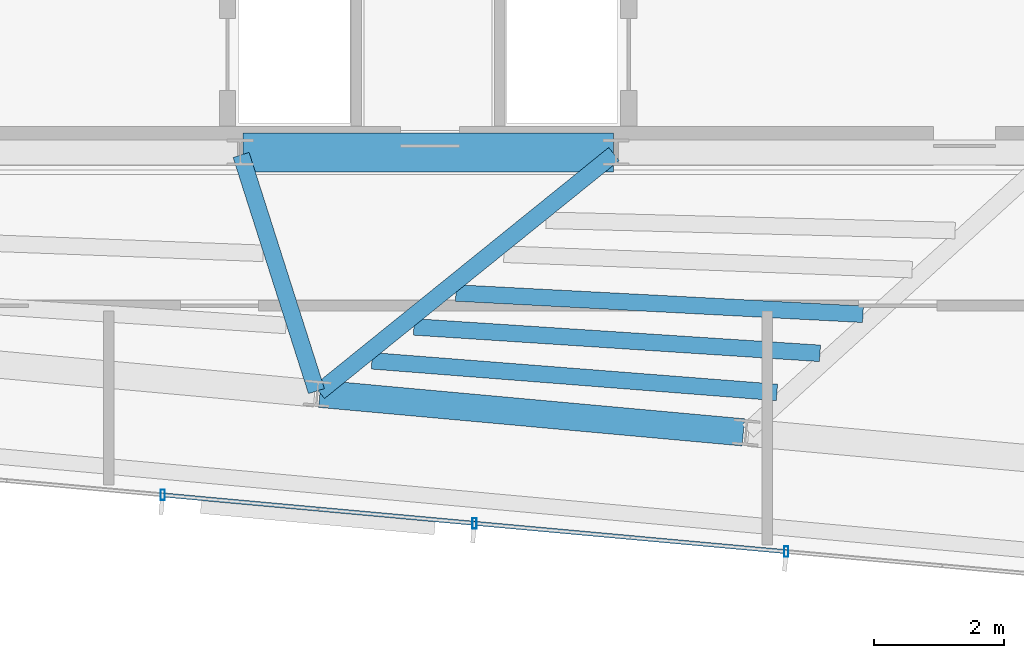
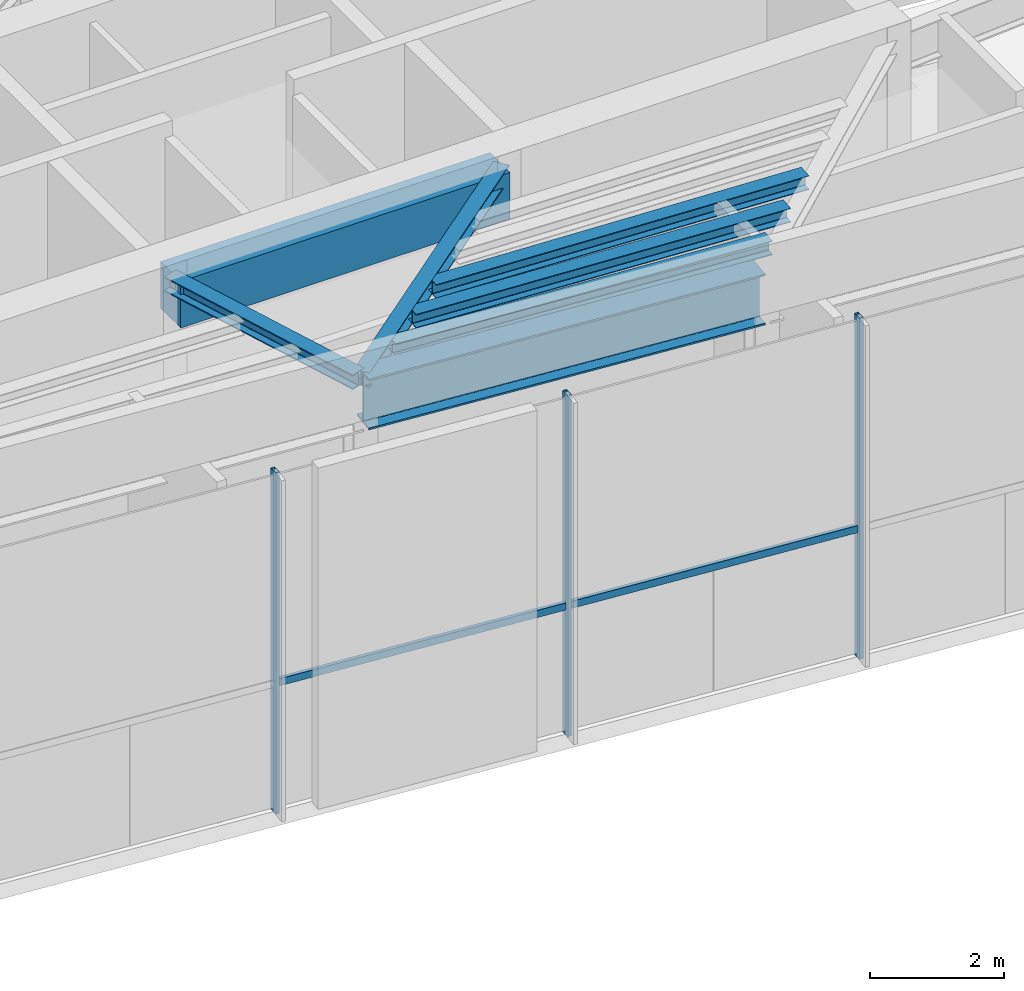
# One storey, part 6 of 18: 7 beams, 5 members, 1 element without a shape of its own.
"""IFC4 building model written with IfcOpenShell, lengths in metres."""

from ifc_helpers import new_model, si_unit, direction, frame, origin, origin_2d, place, context, subcontext, project, spatial, rectangle, hollow_rectangle, i_section, extrude, source, transform, mapped, material, material_profile, profile_set, type_object, type_shapes, element, aggregate, save


model = new_model("IFC4")

# Units and contexts
model_context = context("Model", 3, precision=1e-05, world=origin(), true_north=direction((0.0, 1.0)))
body_context = subcontext(model_context, "Body", "Model", "MODEL_VIEW")
ifc_project = project(units=[si_unit("LENGTHUNIT", "METRE"), si_unit("AREAUNIT", "SQUARE_METRE"), si_unit("VOLUMEUNIT", "CUBIC_METRE"), si_unit("PLANEANGLEUNIT", "RADIAN"), si_unit("MASSUNIT", "GRAM", prefix="KILO")], contexts=[model_context])

# Site, building, storey
site_placement = place(None, origin())
site = spatial("IfcSite", under=ifc_project, at=site_placement, CompositionType="ELEMENT")
building_placement = place(site_placement, origin())
building = spatial("IfcBuilding", under=site, at=building_placement, Name="Astriad Promenade Condominiums", CompositionType="ELEMENT")
storey_placement = place(building_placement, frame((0.0, 0.0, 290.300048828125)))
storey = spatial("IfcBuildingStorey", under=building, at=storey_placement, Name="L80", CompositionType="ELEMENT", Elevation=290.300048828125)

# Beams
ifc_material_1 = material(Name="Concrete C60/75", Category="concrete")
ifc_material_profile_1 = material_profile(ifc_material_1, rectangle(XDim=0.60009765625, YDim=0.85009765625, at=origin_2d()), Name="RC-BM-600X850")
ifc_profile_set_1 = profile_set([ifc_material_profile_1], Name="Concrete C60/75")
beam_type_1 = type_object("IfcBeamType", Name="CONCRETE CORE COUPLING LINTEL 600X850", PredefinedType="LINTEL", material=ifc_profile_set_1)
shared_shape_1 = source(origin(), body_context, "Body", "SweptSolid", [
    extrude(rectangle(XDim=0.60009765625, YDim=0.85009765625, at=origin_2d()), origin(), (0.0, 0.0, 1.0), 5.68017578125),
])
type_shapes(beam_type_1, [shared_shape_1])
beam_1_placement = place(storey_placement, frame((33.159912109375, 17.39990234375, 5.794921875), z_axis=(1.0, 0.0, 0.0), x_axis=(0.0, 1.0, 0.0)))
element("IfcBeam", 1, at=beam_1_placement, inside=storey, type_object=beam_type_1, Name="Core Ring Beam CG-S2-L80", PredefinedType="LINTEL", context=body_context, shape_type="MappedRepresentation", body=[
    mapped(shared_shape_1, transform((0.0, 0.0, 0.0), scale=1.0)),
])
ifc_material_2 = material(Name="Steel ASTM A992 Grade 50", Category="steel")
ifc_material_profile_2 = material_profile(ifc_material_2, i_section(OverallWidth=0.25732421875, OverallDepth=0.26416015625, WebThickness=0.011962890625, FlangeThickness=0.01953125, FilletRadius=0.0126953125, at=origin_2d()), Name="W10X68")
ifc_profile_set_2 = profile_set([ifc_material_profile_2], Name="Steel ASTM A992 Grade 50")
beam_type_2 = type_object("IfcBeamType", Name="STEEL CANOPY BEAM W10X68", PredefinedType="BEAM", material=ifc_profile_set_2)
shared_shape_2 = source(origin(), body_context, "Body", "SweptSolid", [
    extrude(i_section(OverallWidth=0.25732421875, OverallDepth=0.26416015625, WebThickness=0.011962890625, FlangeThickness=0.01953125, FilletRadius=0.0126953125, at=origin_2d()), origin(), (0.0, 0.0, 1.0), 3.801025390625),
])
beam_2_placement = place(storey_placement, frame((34.28759765625, 13.74072265625, 6.087890625), z_axis=(-0.304004205404, 0.952670689744, 0.0), x_axis=(-0.952670689744, -0.304004205404, 0.0)))
element("IfcBeam", 2, at=beam_2_placement, inside=storey, type_object=beam_type_2, Name="Primary Floor Girder PG-C1-L80", PredefinedType="BEAM", context=body_context, shape_type="MappedRepresentation", body=[
    mapped(shared_shape_2, transform((0.0, 0.0, 0.0), scale=1.0)),
])
shared_shape_3 = source(origin(), body_context, "Body", "SweptSolid", [
    extrude(i_section(OverallWidth=0.25732421875, OverallDepth=0.26416015625, WebThickness=0.011962890625, FlangeThickness=0.01953125, FilletRadius=0.0126953125, at=origin_2d()), origin(), (0.0, 0.0, 1.0), 5.806396484375),
])
type_shapes(beam_type_2, [shared_shape_2, shared_shape_3])
beam_3_placement = place(storey_placement, frame((34.330810546875, 13.727783203125, 6.087890625), z_axis=(0.77810873544, 0.628129601143, 0.0), x_axis=(-0.628129601143, 0.77810873544, 0.0)))
element("IfcBeam", 3, at=beam_3_placement, inside=storey, type_object=beam_type_2, Name="Primary Floor Girder PG-C2-L80", PredefinedType="BEAM", context=body_context, shape_type="MappedRepresentation", body=[
    mapped(shared_shape_3, transform((0.0, 0.0, 0.0), scale=1.0)),
])
ifc_material_profile_3 = material_profile(ifc_material_2, i_section(OverallWidth=0.418212890625, OverallDepth=0.926513671875, WebThickness=0.019287109375, FlangeThickness=0.031982421875, FilletRadius=0.024169921875, at=origin_2d()), Name="W36X231")
ifc_profile_set_3 = profile_set([ifc_material_profile_3], Name="Steel ASTM A992 Grade 50")
beam_type_3 = type_object("IfcBeamType", Name="STEEL CROWN RING BEAM W36X231", PredefinedType="BEAM", material=ifc_profile_set_3)
shared_shape_4 = source(origin(), body_context, "Body", "SweptSolid", [
    extrude(i_section(OverallWidth=0.418212890625, OverallDepth=0.926513671875, WebThickness=0.019287109375, FlangeThickness=0.031982421875, FilletRadius=0.024169921875, at=origin_2d()), origin(), (0.0, 0.0, 1.0), 6.52001953125),
])
type_shapes(beam_type_3, [shared_shape_4])
beam_4_placement = place(storey_placement, frame((34.339599609375, 13.69921875, 5.756591796875), z_axis=(0.995882457091, -0.090653911438, 0.0), x_axis=(0.090653911438, 0.995882457091, 0.0)))
element("IfcBeam", 4, at=beam_4_placement, inside=storey, type_object=beam_type_3, Name="Perimeter Spandrel Beam SP-S3-L80", PredefinedType="BEAM", context=body_context, shape_type="MappedRepresentation", body=[
    mapped(shared_shape_4, transform((0.0, 0.0, 0.0), scale=1.0)),
])
ifc_material_profile_4 = material_profile(ifc_material_2, i_section(OverallWidth=0.25390625, OverallDepth=0.25390625, WebThickness=0.008544921875, FlangeThickness=0.01416015625, FilletRadius=0.0126953125, at=origin_2d()), Name="W10X49")
ifc_profile_set_4 = profile_set([ifc_material_profile_4], Name="Steel ASTM A992 Grade 50")
beam_type_4 = type_object("IfcBeamType", Name="STEEL TRIMMER JOIST W10X49", PredefinedType="JOIST", material=ifc_profile_set_4)
shared_shape_5 = source(origin(), body_context, "Body", "SweptSolid", [
    extrude(i_section(OverallWidth=0.25390625, OverallDepth=0.25390625, WebThickness=0.008544921875, FlangeThickness=0.01416015625, FilletRadius=0.0126953125, at=origin_2d()), origin(), (0.0, 0.0, 1.0), 6.229248046875),
])
beam_5_placement = place(storey_placement, frame((35.1376953125, 14.205078125, 6.093017578125), z_axis=(0.996969269926, -0.077796367671, 0.0), x_axis=(0.077796367671, 0.996969269926, 0.0)))
element("IfcBeam", 5, at=beam_5_placement, inside=storey, type_object=beam_type_4, Name="Secondary Composite Floor Joist JCE-1-L80", PredefinedType="JOIST", context=body_context, shape_type="MappedRepresentation", body=[
    mapped(shared_shape_5, transform((0.0, 0.0, 0.0), scale=1.0)),
])
shared_shape_6 = source(origin(), body_context, "Body", "SweptSolid", [
    extrude(i_section(OverallWidth=0.25390625, OverallDepth=0.25390625, WebThickness=0.008544921875, FlangeThickness=0.01416015625, FilletRadius=0.0126953125, at=origin_2d()), origin(), (0.0, 0.0, 1.0), 6.2392578125),
])
beam_6_placement = place(storey_placement, frame((35.78173828125, 14.72509765625, 6.093017578125), z_axis=(0.997885626564, -0.064994432818, 0.0), x_axis=(0.064994432818, 0.997885626564, 0.0)))
element("IfcBeam", 6, at=beam_6_placement, inside=storey, type_object=beam_type_4, Name="Secondary Composite Floor Joist JCE-2-L80", PredefinedType="JOIST", context=body_context, shape_type="MappedRepresentation", body=[
    mapped(shared_shape_6, transform((0.0, 0.0, 0.0), scale=1.0)),
])
shared_shape_7 = source(origin(), body_context, "Body", "SweptSolid", [
    extrude(i_section(OverallWidth=0.25390625, OverallDepth=0.25390625, WebThickness=0.008544921875, FlangeThickness=0.01416015625, FilletRadius=0.0126953125, at=origin_2d()), origin(), (0.0, 0.0, 1.0), 6.25),
])
type_shapes(beam_type_4, [shared_shape_5, shared_shape_6, shared_shape_7])
beam_7_placement = place(storey_placement, frame((36.42578125, 15.2451171875, 6.093017578125), z_axis=(0.998635255149, -0.052226690246, 0.0), x_axis=(0.052226690246, 0.998635255149, 0.0)))
element("IfcBeam", 7, at=beam_7_placement, inside=storey, type_object=beam_type_4, Name="Secondary Composite Floor Joist JCE-3-L80", PredefinedType="JOIST", context=body_context, shape_type="MappedRepresentation", body=[
    mapped(shared_shape_7, transform((0.0, 0.0, 0.0), scale=1.0)),
])

# Curtain wall, members
ifc_material_3 = material(Name="Anodised aluminium Black Dark Glass Unitised", Category="aluminium")
curtain_wall_type = type_object("IfcCurtainWallType", Name="CW-TMD-LANTERN", PredefinedType="USERDEFINED", material=ifc_material_3)
curtain_wall_placement = place(storey_placement, origin())
curtain_wall = element("IfcCurtainWall", 8, at=curtain_wall_placement, inside=storey, type_object=curtain_wall_type, Name="CW-CRN-L80-18", ObjectType="UNITISED_CURTAIN_WALL", PredefinedType="USERDEFINED")
ifc_material_4 = material(Name="Anodised aluminium 6063-T6 Black", Category="aluminium")
ifc_material_profile_5 = material_profile(ifc_material_4, hollow_rectangle(XDim=0.06494140625, YDim=0.159912109375, WallThickness=0.00390625, at=origin_2d()), Name="ALU-MUL-65X160")
ifc_profile_set_5 = profile_set([ifc_material_profile_5], Name="Anodised aluminium 6063-T6 Black")
member_type_1 = type_object("IfcMemberType", Name="MUL-ALU-MUL-65X160", PredefinedType="MULLION", material=ifc_profile_set_5)
shared_shape_8 = source(origin(), body_context, "Body", "SweptSolid", [
    extrude(hollow_rectangle(XDim=0.06494140625, YDim=0.159912109375, WallThickness=0.00390625, at=origin_2d()), origin(), (0.0, 0.0, 1.0), 6.219970703125),
])
type_shapes(member_type_1, [shared_shape_8])
member_1_placement = place(storey_placement, frame((41.490478515625, 11.2783203125, 0.0), z_axis=(0.0, 0.0, 1.0), x_axis=(1.0, 0.0, 0.0)))
member_1 = element("IfcMember", 9, at=member_1_placement, type_object=member_type_1, Name="CW-CRN-L80-18-MUL-02", PredefinedType="MULLION", context=body_context, shape_type="MappedRepresentation", body=[
    mapped(shared_shape_8, transform((0.0, 0.0, 0.0), scale=1.0)),
])
member_2_placement = place(storey_placement, frame((36.71044921875, 11.71337890625, 0.0), z_axis=(0.0, 0.0, 1.0), x_axis=(1.0, 0.0, 0.0)))
member_2 = element("IfcMember", 10, at=member_2_placement, type_object=member_type_1, Name="CW-CRN-L80-18-MUL-03", PredefinedType="MULLION", context=body_context, shape_type="MappedRepresentation", body=[
    mapped(shared_shape_8, transform((0.0, 0.0, 0.0), scale=1.0)),
])
member_3_placement = place(storey_placement, frame((31.93017578125, 12.1484375, 0.0), z_axis=(0.0, 0.0, 1.0), x_axis=(1.0, 0.0, 0.0)))
member_3 = element("IfcMember", 11, at=member_3_placement, type_object=member_type_1, Name="CW-CRN-L80-18-MUL-04", PredefinedType="MULLION", context=body_context, shape_type="MappedRepresentation", body=[
    mapped(shared_shape_8, transform((0.0, 0.0, 0.0), scale=1.0)),
])
ifc_material_profile_6 = material_profile(ifc_material_4, hollow_rectangle(XDim=0.06494140625, YDim=0.1298828125, WallThickness=0.00390625, at=origin_2d()), Name="ALU-TRN-65X130")
ifc_profile_set_6 = profile_set([ifc_material_profile_6], Name="Anodised aluminium 6063-T6 Black")
member_type_2 = type_object("IfcMemberType", Name="TRN-ALU-TRN-65X130", PredefinedType="USERDEFINED", material=ifc_profile_set_6)
shared_shape_9 = source(origin(), body_context, "Body", "SweptSolid", [
    extrude(hollow_rectangle(XDim=0.06494140625, YDim=0.1298828125, WallThickness=0.00390625, at=origin_2d()), origin(), (0.0, 0.0, 1.0), 4.7998046875),
])
member_4_placement = place(storey_placement, frame((41.490478515625, 11.2783203125, 2.349853515625), z_axis=(-0.9958836116, 0.090641227635, 0.0), x_axis=(-0.090641227635, -0.9958836116, 0.0)))
member_4 = element("IfcMember", 12, at=member_4_placement, type_object=member_type_2, Name="CW-CRN-L80-18-TRN-02-0", ObjectType="TRANSOM", PredefinedType="USERDEFINED", context=body_context, shape_type="MappedRepresentation", body=[
    mapped(shared_shape_9, transform((0.0, 0.0, 0.0), scale=1.0)),
])
shared_shape_10 = source(origin(), body_context, "Body", "SweptSolid", [
    extrude(hollow_rectangle(XDim=0.06494140625, YDim=0.1298828125, WallThickness=0.00390625, at=origin_2d()), origin(), (0.0, 0.0, 1.0), 4.800048828125),
])
type_shapes(member_type_2, [shared_shape_9, shared_shape_10])
member_5_placement = place(storey_placement, frame((36.71044921875, 11.71337890625, 2.349853515625), z_axis=(-0.995884029465, 0.09063663639, 0.0), x_axis=(-0.09063663639, -0.995884029465, 0.0)))
member_5 = element("IfcMember", 13, at=member_5_placement, type_object=member_type_2, Name="CW-CRN-L80-18-TRN-03-0", ObjectType="TRANSOM", PredefinedType="USERDEFINED", context=body_context, shape_type="MappedRepresentation", body=[
    mapped(shared_shape_10, transform((0.0, 0.0, 0.0), scale=1.0)),
])
aggregate(curtain_wall, [member_1, member_2, member_3, member_4, member_5])

save(model, "model.ifc")
